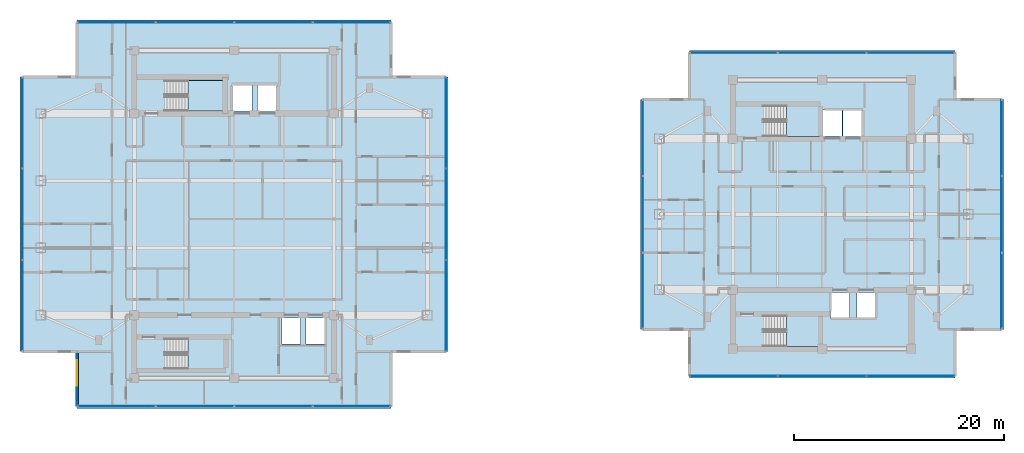
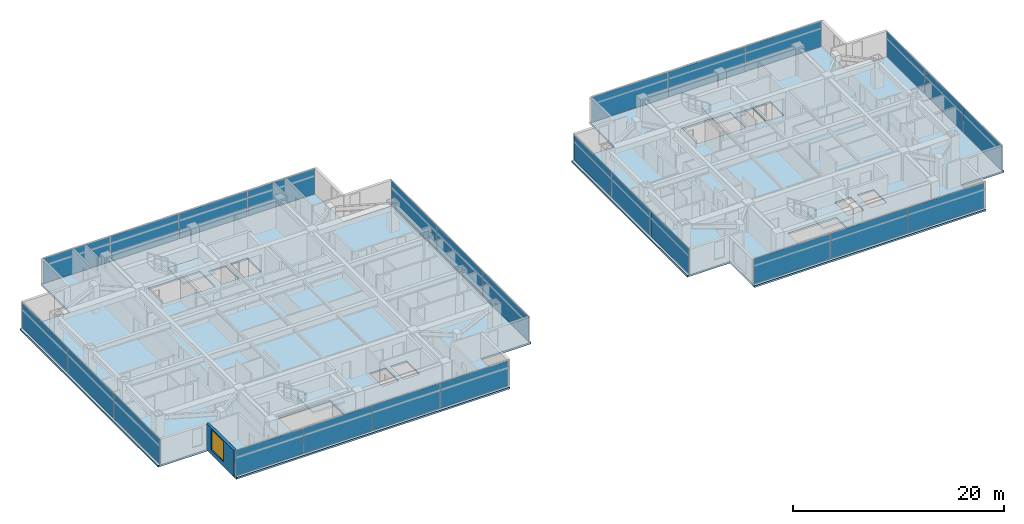
# One storey, part 11 of 24: 26 plates, 6 slabs, 1 wall, 1 window, 1 opening, 12 elements without a shape of their own.
"""IFC4 building model written with IfcOpenShell, lengths in metres."""

from ifc_helpers import new_model, si_unit, direction, frame, frame_2d, origin, origin_2d, place, context, subcontext, project, spatial, polyline, rectangle, outline, extrude, material, layer, layer_set, type_object, element, fill, aggregate, save


model = new_model("IFC4")

# Units and contexts
model_context = context("Model", 3, precision=1e-05, world=origin(), true_north=direction((0.0, 1.0)))
body_context = subcontext(model_context, "Body", "Model", "MODEL_VIEW")
ifc_project = project(units=[si_unit("LENGTHUNIT", "METRE"), si_unit("AREAUNIT", "SQUARE_METRE"), si_unit("VOLUMEUNIT", "CUBIC_METRE"), si_unit("PLANEANGLEUNIT", "RADIAN"), si_unit("MASSUNIT", "GRAM", prefix="KILO")], contexts=[model_context])

# Site, building, storey
site_placement = place(None, origin())
site = spatial("IfcSite", under=ifc_project, at=site_placement, CompositionType="ELEMENT")
building_placement = place(site_placement, origin())
building = spatial("IfcBuilding", under=site, at=building_placement, Name="Mirazonda Arch Towers", CompositionType="ELEMENT")
storey_placement = place(building_placement, frame((0.0, 0.0, 193.39990234375)))
storey = spatial("IfcBuildingStorey", under=building, at=storey_placement, Name="L55", CompositionType="ELEMENT", Elevation=193.39990234375)

# Curtain wall, plates
ifc_material_1 = material(Name="Anodised Aluminium and Low-E Glass", Category="aluminium")
curtain_wall_type = type_object("IfcCurtainWallType", Name="CW-RES-UNIT", PredefinedType="NOTDEFINED", material=ifc_material_1)
curtain_wall_1_placement = place(storey_placement, origin())
curtain_wall_1 = element("IfcCurtainWall", 1, at=curtain_wall_1_placement, inside=storey, type_object=curtain_wall_type, Name="L55 T1 S Facade CW-L55-T1-S", PredefinedType="NOTDEFINED")
ifc_material_2 = material(Name="Insulated Low-E Solar Glass", Category="glass")
ifc_layer_1 = layer(ifc_material_2, 0.0400390625, Name="PAN-CW-RES-UNIT")
ifc_layer_set_1 = layer_set([ifc_layer_1], Name="Insulated Low-E Solar Glass")
plate_type = type_object("IfcPlateType", Name="PAN-CW-RES-UNIT", PredefinedType="CURTAIN_PANEL", material=ifc_layer_set_1)
plate_1_placement = place(storey_placement, frame((31.697509765625, 9.716064453125, 0.0751953125), z_axis=(0.0, 0.0, 1.0), x_axis=(-1.0, 0.0, 0.0)))
plate_1 = element("IfcPlate", 2, at=plate_1_placement, type_object=plate_type, Name="CW-104 panel 1.1", PredefinedType="CURTAIN_PANEL", context=body_context, shape_type="SweptSolid", body=[
    extrude(rectangle(XDim=7.364990234375, YDim=0.0400390625, at=origin_2d()), origin(), (0.0, 0.0, 1.0), 2.8798828125),
])
plate_2_placement = place(storey_placement, frame((24.23876953125, 9.716064453125, 0.0751953125), z_axis=(0.0, 0.0, 1.0), x_axis=(-1.0, 0.0, 0.0)))
plate_2 = element("IfcPlate", 3, at=plate_2_placement, type_object=plate_type, Name="CW-104 panel 2.1", PredefinedType="CURTAIN_PANEL", context=body_context, shape_type="SweptSolid", body=[
    extrude(rectangle(XDim=7.402587890625, YDim=0.0400390625, at=origin_2d()), origin(), (0.0, 0.0, 1.0), 2.8798828125),
])
plate_3_placement = place(storey_placement, frame((16.76123046875, 9.716064453125, 0.0751953125), z_axis=(0.0, 0.0, 1.0), x_axis=(-1.0, 0.0, 0.0)))
plate_3 = element("IfcPlate", 4, at=plate_3_placement, type_object=plate_type, Name="CW-104 panel 3.1", PredefinedType="CURTAIN_PANEL", context=body_context, shape_type="SweptSolid", body=[
    extrude(rectangle(XDim=7.402587890625, YDim=0.0400390625, at=origin_2d()), origin(), (0.0, 0.0, 1.0), 2.8798828125),
])
plate_4_placement = place(storey_placement, frame((9.302490234375, 9.716064453125, 0.0751953125), z_axis=(0.0, 0.0, 1.0), x_axis=(-1.0, 0.0, 0.0)))
plate_4 = element("IfcPlate", 5, at=plate_4_placement, type_object=plate_type, Name="CW-104 panel 4.1", PredefinedType="CURTAIN_PANEL", context=body_context, shape_type="SweptSolid", body=[
    extrude(rectangle(XDim=7.364990234375, YDim=0.0400390625, at=origin_2d()), origin(), (0.0, 0.0, 1.0), 2.8798828125),
])
aggregate(curtain_wall_1, [plate_1, plate_2, plate_3, plate_4])

curtain_wall_2_placement = place(storey_placement, origin())
curtain_wall_2 = element("IfcCurtainWall", 6, at=curtain_wall_2_placement, inside=storey, type_object=curtain_wall_type, Name="L55 T1 E Facade CW-L55-T1-E", PredefinedType="NOTDEFINED")
plate_5_placement = place(storey_placement, frame((40.669921875, 19.30615234375, 0.0751953125), z_axis=(0.0, 0.0, 1.0), x_axis=(0.0, 1.0, 0.0)))
plate_5 = element("IfcPlate", 7, at=plate_5_placement, type_object=plate_type, Name="CW-104 panel 1.1", PredefinedType="CURTAIN_PANEL", context=body_context, shape_type="SweptSolid", body=[
    extrude(rectangle(XDim=8.60009765625, YDim=0.0400390625, at=origin_2d()), origin(), (0.0, 0.0, 1.0), 2.8798828125),
])
plate_6_placement = place(storey_placement, frame((40.669921875, 28.0, 0.0751953125), z_axis=(0.0, 0.0, 1.0), x_axis=(0.0, 1.0, 0.0)))
plate_6 = element("IfcPlate", 8, at=plate_6_placement, type_object=plate_type, Name="CW-104 panel 2.1", PredefinedType="CURTAIN_PANEL", context=body_context, shape_type="SweptSolid", body=[
    extrude(rectangle(XDim=8.6376953125, YDim=0.0400390625, at=origin_2d()), origin(), (0.0, 0.0, 1.0), 2.8798828125),
])
plate_7_placement = place(storey_placement, frame((40.669921875, 36.69384765625, 0.0751953125), z_axis=(0.0, 0.0, 1.0), x_axis=(0.0, 1.0, 0.0)))
plate_7 = element("IfcPlate", 9, at=plate_7_placement, type_object=plate_type, Name="CW-104 panel 3.1", PredefinedType="CURTAIN_PANEL", context=body_context, shape_type="SweptSolid", body=[
    extrude(rectangle(XDim=8.60009765625, YDim=0.0400390625, at=origin_2d()), origin(), (0.0, 0.0, 1.0), 2.8798828125),
])
aggregate(curtain_wall_2, [plate_5, plate_6, plate_7])

curtain_wall_3_placement = place(storey_placement, origin())
curtain_wall_3 = element("IfcCurtainWall", 10, at=curtain_wall_3_placement, inside=storey, type_object=curtain_wall_type, Name="L55 T1 N Facade CW-L55-T1-N", PredefinedType="NOTDEFINED")
plate_8_placement = place(storey_placement, frame((9.302490234375, 46.283935546875, 0.0751953125), z_axis=(0.0, 0.0, 1.0), x_axis=(1.0, 0.0, 0.0)))
plate_8 = element("IfcPlate", 11, at=plate_8_placement, type_object=plate_type, Name="CW-104 panel 1.1", PredefinedType="CURTAIN_PANEL", context=body_context, shape_type="SweptSolid", body=[
    extrude(rectangle(XDim=7.364990234375, YDim=0.0400390625, at=origin_2d()), origin(), (0.0, 0.0, 1.0), 2.8798828125),
])
plate_9_placement = place(storey_placement, frame((16.76123046875, 46.283935546875, 0.0751953125), z_axis=(0.0, 0.0, 1.0), x_axis=(1.0, 0.0, 0.0)))
plate_9 = element("IfcPlate", 12, at=plate_9_placement, type_object=plate_type, Name="CW-104 panel 2.1", PredefinedType="CURTAIN_PANEL", context=body_context, shape_type="SweptSolid", body=[
    extrude(rectangle(XDim=7.402587890625, YDim=0.0400390625, at=origin_2d()), origin(), (0.0, 0.0, 1.0), 2.8798828125),
])
plate_10_placement = place(storey_placement, frame((24.23876953125, 46.283935546875, 0.0751953125), z_axis=(0.0, 0.0, 1.0), x_axis=(1.0, 0.0, 0.0)))
plate_10 = element("IfcPlate", 13, at=plate_10_placement, type_object=plate_type, Name="CW-104 panel 3.1", PredefinedType="CURTAIN_PANEL", context=body_context, shape_type="SweptSolid", body=[
    extrude(rectangle(XDim=7.402587890625, YDim=0.0400390625, at=origin_2d()), origin(), (0.0, 0.0, 1.0), 2.8798828125),
])
plate_11_placement = place(storey_placement, frame((31.697509765625, 46.283935546875, 0.0751953125), z_axis=(0.0, 0.0, 1.0), x_axis=(1.0, 0.0, 0.0)))
plate_11 = element("IfcPlate", 14, at=plate_11_placement, type_object=plate_type, Name="CW-104 panel 4.1", PredefinedType="CURTAIN_PANEL", context=body_context, shape_type="SweptSolid", body=[
    extrude(rectangle(XDim=7.364990234375, YDim=0.0400390625, at=origin_2d()), origin(), (0.0, 0.0, 1.0), 2.8798828125),
])
aggregate(curtain_wall_3, [plate_8, plate_9, plate_10, plate_11])

curtain_wall_4_placement = place(storey_placement, origin())
curtain_wall_4 = element("IfcCurtainWall", 15, at=curtain_wall_4_placement, inside=storey, type_object=curtain_wall_type, Name="L55 T1 W Facade CW-L55-T1-W", PredefinedType="NOTDEFINED")
plate_12_placement = place(storey_placement, frame((0.330078125, 36.69384765625, 0.0751953125), z_axis=(0.0, 0.0, 1.0), x_axis=(0.0, -1.0, 0.0)))
plate_12 = element("IfcPlate", 16, at=plate_12_placement, type_object=plate_type, Name="CW-104 panel 1.1", PredefinedType="CURTAIN_PANEL", context=body_context, shape_type="SweptSolid", body=[
    extrude(rectangle(XDim=8.60009765625, YDim=0.0400390625, at=origin_2d()), origin(), (0.0, 0.0, 1.0), 2.8798828125),
])
plate_13_placement = place(storey_placement, frame((0.330078125, 28.0, 0.0751953125), z_axis=(0.0, 0.0, 1.0), x_axis=(0.0, -1.0, 0.0)))
plate_13 = element("IfcPlate", 17, at=plate_13_placement, type_object=plate_type, Name="CW-104 panel 2.1", PredefinedType="CURTAIN_PANEL", context=body_context, shape_type="SweptSolid", body=[
    extrude(rectangle(XDim=8.6376953125, YDim=0.0400390625, at=origin_2d()), origin(), (0.0, 0.0, 1.0), 2.8798828125),
])
plate_14_placement = place(storey_placement, frame((0.330078125, 19.30615234375, 0.0751953125), z_axis=(0.0, 0.0, 1.0), x_axis=(0.0, -1.0, 0.0)))
plate_14 = element("IfcPlate", 18, at=plate_14_placement, type_object=plate_type, Name="CW-104 panel 3.1", PredefinedType="CURTAIN_PANEL", context=body_context, shape_type="SweptSolid", body=[
    extrude(rectangle(XDim=8.60009765625, YDim=0.0400390625, at=origin_2d()), origin(), (0.0, 0.0, 1.0), 2.8798828125),
])
aggregate(curtain_wall_4, [plate_12, plate_13, plate_14])

curtain_wall_5_placement = place(storey_placement, origin())
curtain_wall_5 = element("IfcCurtainWall", 19, at=curtain_wall_5_placement, inside=storey, type_object=curtain_wall_type, Name="L55 T2 S Facade CW-L55-T2-S", PredefinedType="NOTDEFINED")
plate_15_placement = place(storey_placement, frame((84.915771484375, 12.611572265625, 0.0751953125), z_axis=(0.0, 0.0, 1.0), x_axis=(-1.0, 0.0, 0.0)))
plate_15 = element("IfcPlate", 20, at=plate_15_placement, type_object=plate_type, Name="CW-104 panel 1.1", PredefinedType="CURTAIN_PANEL", context=body_context, shape_type="SweptSolid", body=[
    extrude(rectangle(XDim=8.322021484375, YDim=0.0400390625, at=origin_2d()), origin(), (0.0, 0.0, 1.0), 2.8798828125),
])
plate_16_placement = place(storey_placement, frame((76.5, 12.611572265625, 0.0751953125), z_axis=(0.0, 0.0, 1.0), x_axis=(-1.0, 0.0, 0.0)))
plate_16 = element("IfcPlate", 21, at=plate_16_placement, type_object=plate_type, Name="CW-104 panel 2.1", PredefinedType="CURTAIN_PANEL", context=body_context, shape_type="SweptSolid", body=[
    extrude(rectangle(XDim=8.359619140625, YDim=0.0400390625, at=origin_2d()), origin(), (0.0, 0.0, 1.0), 2.8798828125),
])
plate_17_placement = place(storey_placement, frame((68.084228515625, 12.611572265625, 0.0751953125), z_axis=(0.0, 0.0, 1.0), x_axis=(-1.0, 0.0, 0.0)))
plate_17 = element("IfcPlate", 22, at=plate_17_placement, type_object=plate_type, Name="CW-104 panel 3.1", PredefinedType="CURTAIN_PANEL", context=body_context, shape_type="SweptSolid", body=[
    extrude(rectangle(XDim=8.322021484375, YDim=0.0400390625, at=origin_2d()), origin(), (0.0, 0.0, 1.0), 2.8798828125),
])
aggregate(curtain_wall_5, [plate_15, plate_16, plate_17])

curtain_wall_6_placement = place(storey_placement, origin())
curtain_wall_6 = element("IfcCurtainWall", 23, at=curtain_wall_6_placement, inside=storey, type_object=curtain_wall_type, Name="L55 T2 E Facade CW-L55-T2-E", PredefinedType="NOTDEFINED")
plate_18_placement = place(storey_placement, frame((93.591552734375, 20.7197265625, 0.0751953125), z_axis=(0.0, 0.0, 1.0), x_axis=(0.0, 1.0, 0.0)))
plate_18 = element("IfcPlate", 24, at=plate_18_placement, type_object=plate_type, Name="CW-104 panel 1.1", PredefinedType="CURTAIN_PANEL", context=body_context, shape_type="SweptSolid", body=[
    extrude(rectangle(XDim=7.1865234375, YDim=0.0400390625, at=origin_2d()), origin(), (0.0, 0.0, 1.0), 2.8798828125),
])
plate_19_placement = place(storey_placement, frame((93.591552734375, 28.0, 0.0751953125), z_axis=(0.0, 0.0, 1.0), x_axis=(0.0, 1.0, 0.0)))
plate_19 = element("IfcPlate", 25, at=plate_19_placement, type_object=plate_type, Name="CW-104 panel 2.1", PredefinedType="CURTAIN_PANEL", context=body_context, shape_type="SweptSolid", body=[
    extrude(rectangle(XDim=7.22412109375, YDim=0.0400390625, at=origin_2d()), origin(), (0.0, 0.0, 1.0), 2.8798828125),
])
plate_20_placement = place(storey_placement, frame((93.591552734375, 35.2802734375, 0.0751953125), z_axis=(0.0, 0.0, 1.0), x_axis=(0.0, 1.0, 0.0)))
plate_20 = element("IfcPlate", 26, at=plate_20_placement, type_object=plate_type, Name="CW-104 panel 3.1", PredefinedType="CURTAIN_PANEL", context=body_context, shape_type="SweptSolid", body=[
    extrude(rectangle(XDim=7.1865234375, YDim=0.0400390625, at=origin_2d()), origin(), (0.0, 0.0, 1.0), 2.8798828125),
])
aggregate(curtain_wall_6, [plate_18, plate_19, plate_20])

curtain_wall_7_placement = place(storey_placement, origin())
curtain_wall_7 = element("IfcCurtainWall", 27, at=curtain_wall_7_placement, inside=storey, type_object=curtain_wall_type, Name="L55 T2 N Facade CW-L55-T2-N", PredefinedType="NOTDEFINED")
plate_21_placement = place(storey_placement, frame((68.084228515625, 43.388427734375, 0.0751953125), z_axis=(0.0, 0.0, 1.0), x_axis=(1.0, 0.0, 0.0)))
plate_21 = element("IfcPlate", 28, at=plate_21_placement, type_object=plate_type, Name="CW-104 panel 1.1", PredefinedType="CURTAIN_PANEL", context=body_context, shape_type="SweptSolid", body=[
    extrude(rectangle(XDim=8.322021484375, YDim=0.0400390625, at=origin_2d()), origin(), (0.0, 0.0, 1.0), 2.8798828125),
])
plate_22_placement = place(storey_placement, frame((76.5, 43.388427734375, 0.0751953125), z_axis=(0.0, 0.0, 1.0), x_axis=(1.0, 0.0, 0.0)))
plate_22 = element("IfcPlate", 29, at=plate_22_placement, type_object=plate_type, Name="CW-104 panel 2.1", PredefinedType="CURTAIN_PANEL", context=body_context, shape_type="SweptSolid", body=[
    extrude(rectangle(XDim=8.359619140625, YDim=0.0400390625, at=origin_2d()), origin(), (0.0, 0.0, 1.0), 2.8798828125),
])
plate_23_placement = place(storey_placement, frame((84.915771484375, 43.388427734375, 0.0751953125), z_axis=(0.0, 0.0, 1.0), x_axis=(1.0, 0.0, 0.0)))
plate_23 = element("IfcPlate", 30, at=plate_23_placement, type_object=plate_type, Name="CW-104 panel 3.1", PredefinedType="CURTAIN_PANEL", context=body_context, shape_type="SweptSolid", body=[
    extrude(rectangle(XDim=8.322021484375, YDim=0.0400390625, at=origin_2d()), origin(), (0.0, 0.0, 1.0), 2.8798828125),
])
aggregate(curtain_wall_7, [plate_21, plate_22, plate_23])

curtain_wall_8_placement = place(storey_placement, origin())
curtain_wall_8 = element("IfcCurtainWall", 31, at=curtain_wall_8_placement, inside=storey, type_object=curtain_wall_type, Name="L55 T2 W Facade CW-L55-T2-W", PredefinedType="NOTDEFINED")
plate_24_placement = place(storey_placement, frame((59.408447265625, 35.2802734375, 0.0751953125), z_axis=(0.0, 0.0, 1.0), x_axis=(0.0, -1.0, 0.0)))
plate_24 = element("IfcPlate", 32, at=plate_24_placement, type_object=plate_type, Name="CW-104 panel 1.1", PredefinedType="CURTAIN_PANEL", context=body_context, shape_type="SweptSolid", body=[
    extrude(rectangle(XDim=7.1865234375, YDim=0.0400390625, at=origin_2d()), origin(), (0.0, 0.0, 1.0), 2.8798828125),
])
plate_25_placement = place(storey_placement, frame((59.408447265625, 28.0, 0.0751953125), z_axis=(0.0, 0.0, 1.0), x_axis=(0.0, -1.0, 0.0)))
plate_25 = element("IfcPlate", 33, at=plate_25_placement, type_object=plate_type, Name="CW-104 panel 2.1", PredefinedType="CURTAIN_PANEL", context=body_context, shape_type="SweptSolid", body=[
    extrude(rectangle(XDim=7.22412109375, YDim=0.0400390625, at=origin_2d()), origin(), (0.0, 0.0, 1.0), 2.8798828125),
])
plate_26_placement = place(storey_placement, frame((59.408447265625, 20.7197265625, 0.0751953125), z_axis=(0.0, 0.0, 1.0), x_axis=(0.0, -1.0, 0.0)))
plate_26 = element("IfcPlate", 34, at=plate_26_placement, type_object=plate_type, Name="CW-104 panel 3.1", PredefinedType="CURTAIN_PANEL", context=body_context, shape_type="SweptSolid", body=[
    extrude(rectangle(XDim=7.1865234375, YDim=0.0400390625, at=origin_2d()), origin(), (0.0, 0.0, 1.0), 2.8798828125),
])
aggregate(curtain_wall_8, [plate_24, plate_25, plate_26])

# Stair, slab
ifc_material_3 = material(Name="Concrete C40/50", Category="concrete")
stair_type = type_object("IfcStairType", Name="STAIR-CORE-1400", PredefinedType="HALF_TURN_STAIR", material=ifc_material_3)
stair_1_placement = place(storey_placement, origin())
stair_1 = element("IfcStair", 35, at=stair_1_placement, inside=storey, type_object=stair_type, Name="L55 Protected Exit Stair ST-T1N", PredefinedType="HALF_TURN_STAIR")
ifc_layer_2 = layer(ifc_material_3, 0.18994140625, Name="SLAB-LANDING-190")
ifc_layer_set_2 = layer_set([ifc_layer_2], Name="Concrete C40/50")
slab_type_1 = type_object("IfcSlabType", Name="SLAB-LANDING-190", PredefinedType="LANDING", material=ifc_layer_set_2)
slab_1_placement = place(storey_placement, frame((0.0, 0.0, 1.425048828125)))
slab_1 = element("IfcSlab", 36, at=slab_1_placement, type_object=slab_type_1, Name="ST-T1N landing 1", PredefinedType="LANDING", context=body_context, shape_type="SweptSolid", body=[
    extrude(outline(polyline([(16.090087890625, 37.820068359375), (19.60009765625, 37.820068359375), (19.60009765625, 40.760009765625), (16.090087890625, 40.760009765625), (16.090087890625, 37.820068359375)])), origin(), (0.0, 0.0, 1.0), 0.199951171875),
])
aggregate(stair_1, [slab_1])

stair_2_placement = place(storey_placement, origin())
stair_2 = element("IfcStair", 37, at=stair_2_placement, inside=storey, type_object=stair_type, Name="L55 Protected Exit Stair ST-T1S", PredefinedType="HALF_TURN_STAIR")
slab_2_placement = place(storey_placement, frame((0.0, 0.0, 1.425048828125)))
slab_2 = element("IfcSlab", 38, at=slab_2_placement, type_object=slab_type_1, Name="ST-T1S landing 1", PredefinedType="LANDING", context=body_context, shape_type="SweptSolid", body=[
    extrude(outline(polyline([(16.090087890625, 13.25), (19.60009765625, 13.25), (19.60009765625, 16.18994140625), (16.090087890625, 16.18994140625), (16.090087890625, 13.25)])), origin(), (0.0, 0.0, 1.0), 0.199951171875),
])
aggregate(stair_2, [slab_2])

stair_3_placement = place(storey_placement, origin())
stair_3 = element("IfcStair", 39, at=stair_3_placement, inside=storey, type_object=stair_type, Name="L55 Protected Exit Stair ST-T2N", PredefinedType="HALF_TURN_STAIR")
slab_3_placement = place(storey_placement, frame((0.0, 0.0, 1.425048828125)))
slab_3 = element("IfcSlab", 40, at=slab_3_placement, type_object=slab_type_1, Name="ST-T2N landing 1", PredefinedType="LANDING", context=body_context, shape_type="SweptSolid", body=[
    extrude(outline(polyline([(73.090087890625, 35.419921875), (76.22998046875, 35.419921875), (76.22998046875, 38.360107421875), (73.090087890625, 38.360107421875), (73.090087890625, 35.419921875)])), origin(), (0.0, 0.0, 1.0), 0.199951171875),
])
aggregate(stair_3, [slab_3])

stair_4_placement = place(storey_placement, origin())
stair_4 = element("IfcStair", 41, at=stair_4_placement, inside=storey, type_object=stair_type, Name="L55 Protected Exit Stair ST-T2S", PredefinedType="HALF_TURN_STAIR")
slab_4_placement = place(storey_placement, frame((0.0, 0.0, 1.425048828125)))
slab_4 = element("IfcSlab", 42, at=slab_4_placement, type_object=slab_type_1, Name="ST-T2S landing 1", PredefinedType="LANDING", context=body_context, shape_type="SweptSolid", body=[
    extrude(outline(polyline([(73.090087890625, 15.419921875), (76.22998046875, 15.419921875), (76.22998046875, 18.360107421875), (73.090087890625, 18.360107421875), (73.090087890625, 15.419921875)])), origin(), (0.0, 0.0, 1.0), 0.199951171875),
])
aggregate(stair_4, [slab_4])

# Slabs
ifc_layer_3 = layer(ifc_material_3, 0.199951171875, Name="SLAB-TWR-200")
ifc_layer_set_3 = layer_set([ifc_layer_3], Name="Concrete C40/50")
slab_type_2 = type_object("IfcSlabType", Name="SLAB-TWR-200", PredefinedType="FLOOR", material=ifc_layer_set_3)
slab_5_placement = place(storey_placement, frame((0.0, 0.0, -0.199951171875)))
element("IfcSlab", 43, at=slab_5_placement, inside=storey, type_object=slab_type_2, Name="L55 Tower 1 Floor Slab", PredefinedType="FLOOR", context=body_context, shape_type="SweptSolid", body=[
    extrude(outline(polyline([(5.544921875, 9.49609375), (35.455078125, 9.49609375), (35.455078125, 14.930908203125), (40.889892578125, 14.930908203125), (40.889892578125, 41.069091796875), (35.455078125, 41.069091796875), (35.455078125, 46.50390625), (5.544921875, 46.50390625), (5.544921875, 41.069091796875), (0.110107421875, 41.069091796875), (0.110107421875, 14.930908203125), (5.544921875, 14.930908203125), (5.544921875, 9.49609375)]), holes=[polyline([(27.360107421875, 18.139892578125), (29.139892578125, 18.139892578125), (29.139892578125, 15.659912109375), (27.360107421875, 15.659912109375), (27.360107421875, 18.139892578125)]), polyline([(25.06005859375, 18.139892578125), (26.840087890625, 18.139892578125), (26.840087890625, 15.659912109375), (25.06005859375, 15.659912109375), (25.06005859375, 18.139892578125)]), polyline([(22.7099609375, 40.389892578125), (24.590087890625, 40.389892578125), (24.590087890625, 37.81005859375), (22.7099609375, 37.81005859375), (22.7099609375, 40.389892578125)]), polyline([(20.31005859375, 37.860107421875), (20.31005859375, 40.340087890625), (22.18994140625, 40.340087890625), (22.18994140625, 37.860107421875), (20.31005859375, 37.860107421875)]), polyline([(19.60009765625, 13.25), (13.925048828125, 13.25), (13.925048828125, 16.18994140625), (19.60009765625, 16.18994140625), (19.60009765625, 13.25)]), polyline([(13.925048828125, 37.820068359375), (13.925048828125, 40.760009765625), (19.60009765625, 40.760009765625), (19.60009765625, 37.820068359375), (13.925048828125, 37.820068359375)])]), origin(), (0.0, 0.0, 1.0), 0.199951171875),
])
slab_6_placement = place(storey_placement, frame((0.0, 0.0, -0.199951171875)))
element("IfcSlab", 44, at=slab_6_placement, inside=storey, type_object=slab_type_2, Name="L55 Tower 2 Floor Slab", PredefinedType="FLOOR", context=body_context, shape_type="SweptSolid", body=[
    extrude(outline(polyline([(63.84814453125, 12.3916015625), (89.15185546875, 12.3916015625), (89.15185546875, 17.05126953125), (93.8115234375, 17.05126953125), (93.8115234375, 38.94873046875), (89.15185546875, 38.94873046875), (89.15185546875, 43.6083984375), (63.84814453125, 43.6083984375), (63.84814453125, 38.94873046875), (59.1884765625, 38.94873046875), (59.1884765625, 17.05126953125), (63.84814453125, 17.05126953125), (63.84814453125, 12.3916015625)]), holes=[polyline([(79.81005859375, 20.5400390625), (81.590087890625, 20.5400390625), (81.590087890625, 18.06005859375), (79.81005859375, 18.06005859375), (79.81005859375, 20.5400390625)]), polyline([(78.47998046875, 37.989990234375), (80.360107421875, 37.989990234375), (80.360107421875, 35.409912109375), (78.47998046875, 35.409912109375), (78.47998046875, 37.989990234375)]), polyline([(77.31005859375, 20.5400390625), (79.090087890625, 20.5400390625), (79.090087890625, 18.06005859375), (77.31005859375, 18.06005859375), (77.31005859375, 20.5400390625)]), polyline([(76.510009765625, 35.4599609375), (76.510009765625, 37.93994140625), (78.389892578125, 37.93994140625), (78.389892578125, 35.4599609375), (76.510009765625, 35.4599609375)]), polyline([(76.22998046875, 15.419921875), (70.925048828125, 15.419921875), (70.925048828125, 18.360107421875), (76.22998046875, 18.360107421875), (76.22998046875, 15.419921875)]), polyline([(70.925048828125, 35.419921875), (70.925048828125, 38.360107421875), (76.22998046875, 38.360107421875), (76.22998046875, 35.419921875), (70.925048828125, 35.419921875)])]), origin(), (0.0, 0.0, 1.0), 0.199951171875),
])

# Wall, opening, window
ifc_material_4 = material(Name="Precast Concrete C40/50", Category="concrete")
ifc_layer_4 = layer(ifc_material_4, 0.280029296875, Name="WALL-EXT-WALL-280")
ifc_layer_set_4 = layer_set([ifc_layer_4], Name="Precast Concrete C40/50")
wall_type = type_object("IfcWallType", Name="WALL-EXT-WALL-280", PredefinedType="SOLIDWALL", material=ifc_layer_set_4)
wall_placement = place(storey_placement, frame((5.544921875, 14.930908203125, 0.0), z_axis=(0.0, 0.0, 1.0), x_axis=(0.0, -1.0, 0.0)))
wall = element("IfcWall", 45, at=wall_placement, inside=storey, type_object=wall_type, Name="L55 T1 Notched SW Corner Wall WL-L55-T1-CSW", PredefinedType="SOLIDWALL", context=body_context, shape_type="SweptSolid", body=[
    extrude(rectangle(XDim=5.21484375, YDim=0.280029296875, at=frame_2d((2.607421875, 0.0))), origin(), (0.0, 0.0, 1.0), 3.030029296875),
])
opening_placement = place(wall_placement, frame((0.85009765625, 0.0, 0.530029296875)))
opening = element("IfcOpeningElement", 46, at=opening_placement, cuts=wall, Name="Opening WN-121", PredefinedType="OPENING", context=body_context, shape_type="SweptSolid", body=[
    extrude(rectangle(XDim=2.39990234375, YDim=2.35009765625, at=frame_2d((1.199951171875, 1.175048828125))), frame((0.0, 0.14990234375, 0.0), z_axis=(0.0, -1.0, 0.0), x_axis=(1.0, 0.0, 0.0)), (0.0, 0.0, 1.0), 0.300048828125),
])
window_type = type_object("IfcWindowType", Name="WIN-PENT-2400x2350", PartitioningType="SINGLE_PANEL", PredefinedType="WINDOW", material=ifc_material_2)
window_placement = place(opening_placement, origin())
window = element("IfcWindow", 47, at=window_placement, inside=storey, type_object=window_type, Name="L55 Punched Facade Window WN-L55-T1-CSW", OverallHeight=2.35009765625, OverallWidth=2.39990234375, PartitioningType="SINGLE_PANEL", PredefinedType="WINDOW", context=body_context, shape_type="SweptSolid", body=[
    extrude(rectangle(XDim=2.39990234375, YDim=2.35009765625, at=frame_2d((1.199951171875, 1.175048828125))), frame((0.0, 0.030029296875, 0.0), z_axis=(0.0, -1.0, 0.0), x_axis=(1.0, 0.0, 0.0)), (0.0, 0.0, 1.0), 0.06005859375),
])
fill(opening, window)

save(model, "model.ifc")
